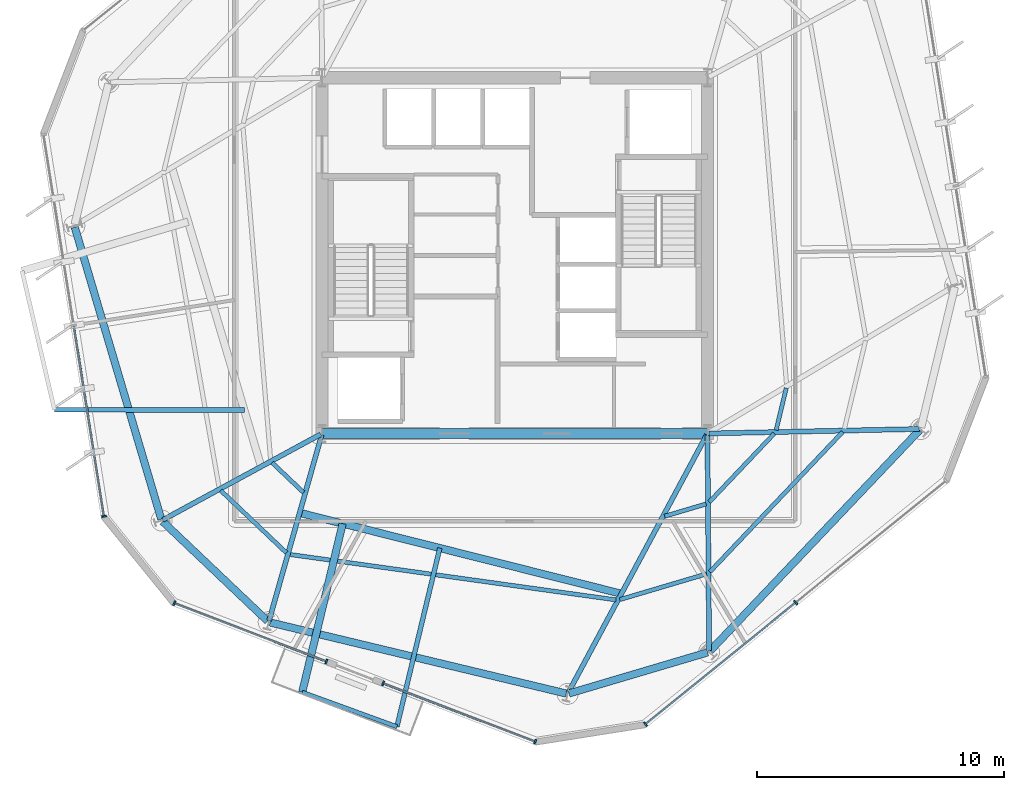
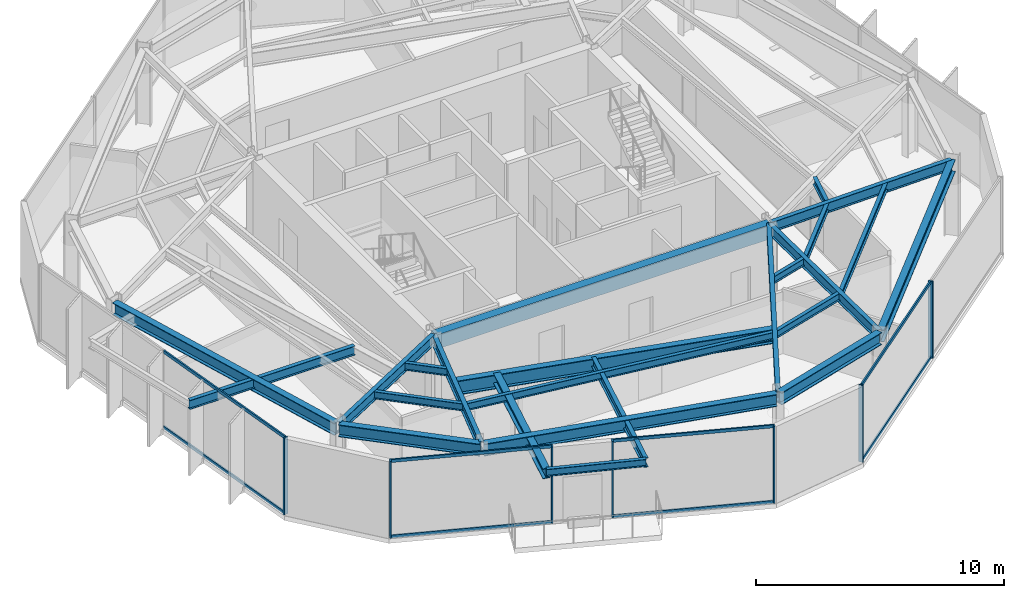
# One storey, part 2 of 12: 24 beams, 15 members, 4 elements without a shape of their own.
"""IFC4 building model written with IfcOpenShell, lengths in metres."""

from ifc_helpers import new_model, si_unit, direction, frame, origin, origin_2d, place, context, subcontext, project, spatial, rectangle, i_section, extrude, material, layer, layer_set, material_profile, profile_set, type_object, element, aggregate, save


model = new_model("IFC4")

# Units and contexts
model_context = context("Model", 3, precision=1e-05, world=origin(), true_north=direction((0.0, 1.0)))
body_context = subcontext(model_context, "Body", "Model", "MODEL_VIEW")
ifc_project = project(units=[si_unit("LENGTHUNIT", "METRE"), si_unit("AREAUNIT", "SQUARE_METRE"), si_unit("VOLUMEUNIT", "CUBIC_METRE"), si_unit("PLANEANGLEUNIT", "RADIAN"), si_unit("MASSUNIT", "GRAM", prefix="KILO")], contexts=[model_context])

# Site, building, storey
site_placement = place(None, origin())
site = spatial("IfcSite", under=ifc_project, at=site_placement, CompositionType="ELEMENT")
building_placement = place(site_placement, origin())
building = spatial("IfcBuilding", under=site, at=building_placement, Name="Kranzbogen Civic Tower", CompositionType="ELEMENT")
storey_placement = place(building_placement, frame((0.0, 0.0, 180.800048828125)))
storey = spatial("IfcBuildingStorey", under=building, at=storey_placement, Name="L43", CompositionType="ELEMENT", Elevation=180.800048828125)

# Beams
ifc_material_1 = material(Name="Steel S355", Category="steel")
ifc_material_profile_1 = material_profile(ifc_material_1, i_section(OverallWidth=0.18994140625, OverallDepth=0.449951171875, WebThickness=0.009521484375, FlangeThickness=0.0146484375, at=origin_2d()), Name="IPE 450")
ifc_profile_set_1 = profile_set([ifc_material_profile_1], Name="Steel S355")
beam_type_1 = type_object("IfcBeamType", Name="Braced Terrace Edge Beam IPE 450", PredefinedType="BEAM", material=ifc_profile_set_1)
beam_1_placement = place(storey_placement, frame((21.966064453125, 13.1630859375, 3.52490234375), z_axis=(-0.233448692439, -0.97236912127, 0.0), x_axis=(0.97236912127, -0.233448692439, 0.0)))
element("IfcBeam", 1, at=beam_1_placement, inside=storey, type_object=beam_type_1, Name="L44 back-spanned terrace beam L44-TB1-2", PredefinedType="BEAM", context=body_context, shape_type="SweptSolid", body=[
    extrude(i_section(OverallWidth=0.18994140625, OverallDepth=0.449951171875, WebThickness=0.009521484375, FlangeThickness=0.0146484375, at=origin_2d()), origin(), (0.0, 0.0, 1.0), 7.436767578125),
])
beam_2_placement = place(storey_placement, frame((14.050048828125, 18.7509765625, 3.494873046875), z_axis=(-0.999999575408, 0.00092151216, 0.0), x_axis=(-0.00092151216, -0.999999575408, 0.0)))
element("IfcBeam", 2, at=beam_2_placement, inside=storey, type_object=beam_type_1, Name="L44 back-spanned terrace beam L44-ST-2", PredefinedType="BEAM", context=body_context, shape_type="SweptSolid", body=[
    extrude(i_section(OverallWidth=0.18994140625, OverallDepth=0.449951171875, WebThickness=0.009521484375, FlangeThickness=0.0146484375, at=origin_2d()), origin(), (0.0, 0.0, 1.0), 7.68310546875),
])
ifc_material_2 = material(Name="Concrete C40/50", Category="concrete")
ifc_material_profile_2 = material_profile(ifc_material_2, rectangle(XDim=0.39990234375, YDim=0.699951171875, at=origin_2d()), Name="RC-BM 400x700")
ifc_profile_set_2 = profile_set([ifc_material_profile_2], Name="Concrete C40/50")
beam_type_2 = type_object("IfcBeamType", Name="Core Coupling Lintel Beam 400x700", PredefinedType="LINTEL", material=ifc_profile_set_2)
beam_3_placement = place(storey_placement, frame((17.199951171875, 17.800048828125, 3.429931640625), z_axis=(1.0, 0.0, 0.0), x_axis=(0.0, 1.0, 0.0)))
element("IfcBeam", 3, at=beam_3_placement, inside=storey, type_object=beam_type_2, Name="L43 core South coupling lintel beam", PredefinedType="LINTEL", context=body_context, shape_type="SweptSolid", body=[
    extrude(rectangle(XDim=0.39990234375, YDim=0.699951171875, at=origin_2d()), origin(), (0.0, 0.0, 1.0), 15.60009765625),
])

# Curtain wall, member
ifc_material_3 = material(Name="Pale Anodised Aluminium", Category="aluminium")
ifc_layer = layer(ifc_material_3, 0.219970703125, Name="Pale Anodised Aluminium")
ifc_layer_set = layer_set([ifc_layer], Name="Pale Anodised Aluminium")
curtain_wall_type = type_object("IfcCurtainWallType", Name="Zone 3 Stick Curtain Wall System CW-04", PredefinedType="USERDEFINED", material=ifc_layer_set)
curtain_wall_1_placement = place(storey_placement, origin())
curtain_wall_1 = element("IfcCurtainWall", 4, at=curtain_wall_1_placement, inside=storey, type_object=curtain_wall_type, Name="L43 curtain wall CW-L43-F3", ObjectType="STICK CURTAIN WALL", PredefinedType="USERDEFINED")
ifc_material_profile_3 = material_profile(ifc_material_3, rectangle(XDim=0.070068359375, YDim=0.199951171875, at=origin_2d()), Name="ALU-M 70x200")
ifc_profile_set_3 = profile_set([ifc_material_profile_3], Name="Pale Anodised Aluminium")
member_type_1 = type_object("IfcMemberType", Name="Curtain Wall Mullion ALU-M 70x200", PredefinedType="MULLION", material=ifc_profile_set_3)
member_1_placement = place(storey_placement, frame((8.374267578125, 14.445556640625, 0.0), z_axis=(0.0, 0.0, 1.0), x_axis=(0.156361413818, -0.987699908003, 0.0)))
member_1 = element("IfcMember", 5, at=member_1_placement, type_object=member_type_1, Name="CW-04 mullion 3", PredefinedType="MULLION", context=body_context, shape_type="SweptSolid", body=[
    extrude(rectangle(XDim=0.070068359375, YDim=0.199951171875, at=origin_2d()), origin(), (0.0, 0.0, 1.0), 3.780029296875),
])

# Curtain wall, members
curtain_wall_2_placement = place(storey_placement, origin())
curtain_wall_2 = element("IfcCurtainWall", 6, at=curtain_wall_2_placement, inside=storey, type_object=curtain_wall_type, Name="L43 curtain wall CW-L43-F4-S1", ObjectType="STICK CURTAIN WALL", PredefinedType="USERDEFINED")
member_2_placement = place(storey_placement, frame((11.218994140625, 10.932373046875, 0.0), z_axis=(0.0, 0.0, 1.0), x_axis=(0.933608751858, -0.35829415074, 0.0)))
member_2 = element("IfcMember", 7, at=member_2_placement, type_object=member_type_1, Name="CW-04 mullion 1", PredefinedType="MULLION", context=body_context, shape_type="SweptSolid", body=[
    extrude(rectangle(XDim=0.070068359375, YDim=0.199951171875, at=origin_2d()), origin(), (0.0, 0.0, 1.0), 3.780029296875),
])
member_3_placement = place(storey_placement, frame((17.375, 8.56982421875, 0.0), z_axis=(0.0, 0.0, 1.0), x_axis=(0.933608751858, -0.35829415074, 0.0)))
member_3 = element("IfcMember", 8, at=member_3_placement, type_object=member_type_1, Name="CW-04 mullion 2", PredefinedType="MULLION", context=body_context, shape_type="SweptSolid", body=[
    extrude(rectangle(XDim=0.070068359375, YDim=0.199951171875, at=origin_2d()), origin(), (0.0, 0.0, 1.0), 3.780029296875),
])

curtain_wall_3_placement = place(storey_placement, origin())
curtain_wall_3 = element("IfcCurtainWall", 9, at=curtain_wall_3_placement, inside=storey, type_object=curtain_wall_type, Name="L43 curtain wall CW-L43-F4-S2", ObjectType="STICK CURTAIN WALL", PredefinedType="USERDEFINED")
member_4_placement = place(storey_placement, frame((19.6708984375, 7.688232421875, 0.0), z_axis=(0.0, 0.0, 1.0), x_axis=(0.933577774585, -0.358374857937, 0.0)))
member_4 = element("IfcMember", 10, at=member_4_placement, type_object=member_type_1, Name="CW-04 mullion 1", PredefinedType="MULLION", context=body_context, shape_type="SweptSolid", body=[
    extrude(rectangle(XDim=0.070068359375, YDim=0.199951171875, at=origin_2d()), origin(), (0.0, 0.0, 1.0), 3.780029296875),
])
member_5_placement = place(storey_placement, frame((25.827880859375, 5.32470703125, 0.0), z_axis=(0.0, 0.0, 1.0), x_axis=(0.933577774585, -0.358374857937, 0.0)))
member_5 = element("IfcMember", 11, at=member_5_placement, type_object=member_type_1, Name="CW-04 mullion 2", PredefinedType="MULLION", context=body_context, shape_type="SweptSolid", body=[
    extrude(rectangle(XDim=0.070068359375, YDim=0.199951171875, at=origin_2d()), origin(), (0.0, 0.0, 1.0), 3.780029296875),
])

curtain_wall_4_placement = place(storey_placement, origin())
curtain_wall_4 = element("IfcCurtainWall", 12, at=curtain_wall_4_placement, inside=storey, type_object=curtain_wall_type, Name="L43 curtain wall CW-L43-F5", ObjectType="STICK CURTAIN WALL", PredefinedType="USERDEFINED")
member_6_placement = place(storey_placement, frame((30.293212890625, 6.031982421875, 0.0), z_axis=(0.0, 0.0, 1.0), x_axis=(0.777115874444, 0.629357543601, 0.0)))
member_6 = element("IfcMember", 13, at=member_6_placement, type_object=member_type_1, Name="CW-04 mullion 1", PredefinedType="MULLION", context=body_context, shape_type="SweptSolid", body=[
    extrude(rectangle(XDim=0.070068359375, YDim=0.199951171875, at=origin_2d()), origin(), (0.0, 0.0, 1.0), 3.780029296875),
])
member_7_placement = place(storey_placement, frame((36.37353515625, 10.9560546875, 0.0), z_axis=(0.0, 0.0, 1.0), x_axis=(0.777115874444, 0.629357543601, 0.0)))
member_7 = element("IfcMember", 14, at=member_7_placement, type_object=member_type_1, Name="CW-04 mullion 2", PredefinedType="MULLION", context=body_context, shape_type="SweptSolid", body=[
    extrude(rectangle(XDim=0.070068359375, YDim=0.199951171875, at=origin_2d()), origin(), (0.0, 0.0, 1.0), 3.780029296875),
])

# Member
ifc_material_profile_4 = material_profile(ifc_material_3, rectangle(XDim=0.070068359375, YDim=0.14990234375, at=origin_2d()), Name="ALU-T 70x150")
ifc_profile_set_4 = profile_set([ifc_material_profile_4], Name="Pale Anodised Aluminium")
member_type_2 = type_object("IfcMemberType", Name="Curtain Wall Transom ALU-T 70x150", PredefinedType="USERDEFINED", material=ifc_profile_set_4)
member_8_placement = place(storey_placement, frame((7.15576171875, 22.143310546875, 0.030029296875), z_axis=(0.156356588779, -0.987700671836, 0.0), x_axis=(0.987700671836, 0.156356588779, 0.0)))
member_8 = element("IfcMember", 15, at=member_8_placement, type_object=member_type_2, Name="CW-04 transom 2.1", ObjectType="TRANSOM", PredefinedType="USERDEFINED", context=body_context, shape_type="SweptSolid", body=[
    extrude(rectangle(XDim=0.070068359375, YDim=0.14990234375, at=origin_2d()), origin(), (0.0, 0.0, 1.0), 7.763427734375),
])

member_9_placement = place(storey_placement, frame((7.15576171875, 22.143310546875, 3.75), z_axis=(0.156356588779, -0.987700671836, 0.0), x_axis=(0.987700671836, 0.156356588779, 0.0)))
member_9 = element("IfcMember", 16, at=member_9_placement, type_object=member_type_2, Name="CW-04 transom 2.2", ObjectType="TRANSOM", PredefinedType="USERDEFINED", context=body_context, shape_type="SweptSolid", body=[
    extrude(rectangle(XDim=0.070068359375, YDim=0.14990234375, at=origin_2d()), origin(), (0.0, 0.0, 1.0), 7.763427734375),
])

aggregate(curtain_wall_1, [member_1, member_8, member_9])

member_10_placement = place(storey_placement, frame((11.2470703125, 10.92138671875, 0.030029296875), z_axis=(0.933615963242, -0.358275359438, 0.0), x_axis=(0.358275359438, 0.933615963242, 0.0)))
member_10 = element("IfcMember", 17, at=member_10_placement, type_object=member_type_2, Name="CW-04 transom 1.1", ObjectType="TRANSOM", PredefinedType="USERDEFINED", context=body_context, shape_type="SweptSolid", body=[
    extrude(rectangle(XDim=0.070068359375, YDim=0.14990234375, at=origin_2d()), origin(), (0.0, 0.0, 1.0), 6.53369140625),
])

member_11_placement = place(storey_placement, frame((11.2470703125, 10.92138671875, 3.75), z_axis=(0.933615963242, -0.358275359438, 0.0), x_axis=(0.358275359438, 0.933615963242, 0.0)))
member_11 = element("IfcMember", 18, at=member_11_placement, type_object=member_type_2, Name="CW-04 transom 1.2", ObjectType="TRANSOM", PredefinedType="USERDEFINED", context=body_context, shape_type="SweptSolid", body=[
    extrude(rectangle(XDim=0.070068359375, YDim=0.14990234375, at=origin_2d()), origin(), (0.0, 0.0, 1.0), 6.53369140625),
])

aggregate(curtain_wall_2, [member_2, member_3, member_10, member_11])

member_12_placement = place(storey_placement, frame((19.698974609375, 7.677490234375, 0.030029296875), z_axis=(0.933577454717, -0.358375691201, 0.0), x_axis=(0.358375691201, 0.933577454717, 0.0)))
member_12 = element("IfcMember", 19, at=member_12_placement, type_object=member_type_2, Name="CW-04 transom 1.1", ObjectType="TRANSOM", PredefinedType="USERDEFINED", context=body_context, shape_type="SweptSolid", body=[
    extrude(rectangle(XDim=0.070068359375, YDim=0.14990234375, at=origin_2d()), origin(), (0.0, 0.0, 1.0), 6.53515625),
])

member_13_placement = place(storey_placement, frame((19.698974609375, 7.677490234375, 3.75), z_axis=(0.933577454717, -0.358375691201, 0.0), x_axis=(0.358375691201, 0.933577454717, 0.0)))
member_13 = element("IfcMember", 20, at=member_13_placement, type_object=member_type_2, Name="CW-04 transom 1.2", ObjectType="TRANSOM", PredefinedType="USERDEFINED", context=body_context, shape_type="SweptSolid", body=[
    extrude(rectangle(XDim=0.070068359375, YDim=0.14990234375, at=origin_2d()), origin(), (0.0, 0.0, 1.0), 6.53515625),
])

aggregate(curtain_wall_3, [member_4, member_5, member_12, member_13])

member_14_placement = place(storey_placement, frame((30.316650390625, 6.05078125, 0.030029296875), z_axis=(0.777118167455, 0.629354712234, 0.0), x_axis=(-0.629354712234, 0.777118167455, 0.0)))
member_14 = element("IfcMember", 21, at=member_14_placement, type_object=member_type_2, Name="CW-04 transom 1.1", ObjectType="TRANSOM", PredefinedType="USERDEFINED", context=body_context, shape_type="SweptSolid", body=[
    extrude(rectangle(XDim=0.070068359375, YDim=0.14990234375, at=origin_2d()), origin(), (0.0, 0.0, 1.0), 7.763916015625),
])

member_15_placement = place(storey_placement, frame((30.316650390625, 6.05078125, 3.75), z_axis=(0.777118167455, 0.629354712234, 0.0), x_axis=(-0.629354712234, 0.777118167455, 0.0)))
member_15 = element("IfcMember", 22, at=member_15_placement, type_object=member_type_2, Name="CW-04 transom 1.2", ObjectType="TRANSOM", PredefinedType="USERDEFINED", context=body_context, shape_type="SweptSolid", body=[
    extrude(rectangle(XDim=0.070068359375, YDim=0.14990234375, at=origin_2d()), origin(), (0.0, 0.0, 1.0), 7.763916015625),
])

aggregate(curtain_wall_4, [member_6, member_7, member_14, member_15])

# Beams
ifc_material_profile_5 = material_profile(ifc_material_1, i_section(OverallWidth=0.300048828125, OverallDepth=0.5, WebThickness=0.014404296875, FlangeThickness=0.028076171875, at=origin_2d()), Name="HEB 500")
ifc_profile_set_5 = profile_set([ifc_material_profile_5], Name="Steel S355")
beam_type_3 = type_object("IfcBeamType", Name="Perimeter Tube Spandrel Beam HEB 500", PredefinedType="SPANDREL", material=ifc_profile_set_5)
beam_4_placement = place(storey_placement, frame((18.033935546875, 14.152099609375, 3.5), z_axis=(-0.2333584815, -0.972390774901, 0.0), x_axis=(0.972390774901, -0.2333584815, 0.0)))
element("IfcBeam", 23, at=beam_4_placement, inside=storey, type_object=beam_type_3, Name="L44 back-spanned terrace beam L44-TB1-1", PredefinedType="SPANDREL", context=body_context, shape_type="SweptSolid", body=[
    extrude(i_section(OverallWidth=0.300048828125, OverallDepth=0.5, WebThickness=0.014404296875, FlangeThickness=0.028076171875, at=origin_2d()), origin(), (0.0, 0.0, 1.0), 7.01904296875),
])
ifc_material_profile_6 = material_profile(ifc_material_1, i_section(OverallWidth=0.300048828125, OverallDepth=0.60009765625, WebThickness=0.015380859375, FlangeThickness=0.030029296875, at=origin_2d()), Name="HEB 600")
ifc_profile_set_6 = profile_set([ifc_material_profile_6], Name="Steel S355")
beam_type_4 = type_object("IfcBeamType", Name="Perimeter Tube Spandrel Beam HEB 600", PredefinedType="SPANDREL", material=ifc_profile_set_6)
beam_5_placement = place(storey_placement, frame((10.7509765625, 14.235107421875, 3.47998046875), z_axis=(0.725245206788, -0.688490660816, 0.0), x_axis=(0.688490660816, 0.725245206788, 0.0)))
element("IfcBeam", 24, at=beam_5_placement, inside=storey, type_object=beam_type_4, Name="L43 perimeter spandrel beam 01", PredefinedType="SPANDREL", context=body_context, shape_type="SweptSolid", body=[
    extrude(i_section(OverallWidth=0.300048828125, OverallDepth=0.60009765625, WebThickness=0.015380859375, FlangeThickness=0.030029296875, at=origin_2d()), origin(), (0.0, 0.0, 1.0), 5.85205078125),
])
beam_6_placement = place(storey_placement, frame((15.096923828125, 10.15087890625, 3.47998046875), z_axis=(0.972377592092, -0.233413406637, 0.0), x_axis=(0.233413406637, 0.972377592092, 0.0)))
element("IfcBeam", 25, at=beam_6_placement, inside=storey, type_object=beam_type_4, Name="L43 perimeter spandrel beam 02", PredefinedType="SPANDREL", context=body_context, shape_type="SweptSolid", body=[
    extrude(i_section(OverallWidth=0.300048828125, OverallDepth=0.60009765625, WebThickness=0.015380859375, FlangeThickness=0.030029296875, at=origin_2d()), origin(), (0.0, 0.0, 1.0), 12.32568359375),
])
beam_7_placement = place(storey_placement, frame((27.197998046875, 7.277099609375, 3.47998046875), z_axis=(0.9588296723, 0.283981794341, 0.0), x_axis=(-0.283981794341, 0.9588296723, 0.0)))
element("IfcBeam", 26, at=beam_7_placement, inside=storey, type_object=beam_type_4, Name="L43 perimeter spandrel beam 03", PredefinedType="SPANDREL", context=body_context, shape_type="SweptSolid", body=[
    extrude(i_section(OverallWidth=0.300048828125, OverallDepth=0.60009765625, WebThickness=0.015380859375, FlangeThickness=0.030029296875, at=origin_2d()), origin(), (0.0, 0.0, 1.0), 5.85205078125),
])
beam_8_placement = place(storey_placement, frame((32.907958984375, 9.0, 3.47998046875), z_axis=(0.688373497874, 0.725356414065, 0.0), x_axis=(-0.725356414065, 0.688373497874, 0.0)))
element("IfcBeam", 27, at=beam_8_placement, inside=storey, type_object=beam_type_4, Name="L43 perimeter spandrel beam 04", PredefinedType="SPANDREL", context=body_context, shape_type="SweptSolid", body=[
    extrude(i_section(OverallWidth=0.300048828125, OverallDepth=0.60009765625, WebThickness=0.015380859375, FlangeThickness=0.030029296875, at=origin_2d()), origin(), (0.0, 0.0, 1.0), 12.324951171875),
])
beam_9_placement = place(storey_placement, frame((7.18896484375, 26.15087890625, 3.47998046875), z_axis=(0.284064048956, -0.958805306666, 0.0), x_axis=(0.958805306666, 0.284064048956, 0.0)))
element("IfcBeam", 28, at=beam_9_placement, inside=storey, type_object=beam_type_4, Name="L43 perimeter spandrel beam 12", PredefinedType="SPANDREL", context=body_context, shape_type="SweptSolid", body=[
    extrude(i_section(OverallWidth=0.300048828125, OverallDepth=0.60009765625, WebThickness=0.015380859375, FlangeThickness=0.030029296875, at=origin_2d()), origin(), (0.0, 0.0, 1.0), 12.32470703125),
])
ifc_material_profile_7 = material_profile(ifc_material_1, i_section(OverallWidth=0.300048828125, OverallDepth=0.699951171875, WebThickness=0.01708984375, FlangeThickness=0.031982421875, at=origin_2d()), Name="HEB 700")
ifc_profile_set_7 = profile_set([ifc_material_profile_7], Name="Steel S355")
beam_type_5 = type_object("IfcBeamType", Name="Perimeter Tube Spandrel Beam HEB 700", PredefinedType="SPANDREL", material=ifc_profile_set_7)
beam_10_placement = place(storey_placement, frame((16.2919921875, 14.591064453125, 3.39990234375), z_axis=(0.969754167823, -0.244083702834, 0.0), x_axis=(0.244083702834, 0.969754167823, 0.0)))
element("IfcBeam", 29, at=beam_10_placement, inside=storey, type_object=beam_type_5, Name="L44 balcony back-span header girder L44-TB1", PredefinedType="SPANDREL", context=body_context, shape_type="SweptSolid", body=[
    extrude(i_section(OverallWidth=0.300048828125, OverallDepth=0.699951171875, WebThickness=0.01708984375, FlangeThickness=0.031982421875, at=origin_2d()), origin(), (0.0, 0.0, 1.0), 13.43017578125),
])
ifc_material_profile_8 = material_profile(ifc_material_1, i_section(OverallWidth=0.199951171875, OverallDepth=0.5, WebThickness=0.01025390625, FlangeThickness=0.01611328125, at=origin_2d()), Name="IPE 500")
ifc_profile_set_8 = profile_set([ifc_material_profile_8], Name="Steel S355")
beam_type_6 = type_object("IfcBeamType", Name="Radial Tower Floor Girder IPE 500", PredefinedType="BEAM", material=ifc_profile_set_8)
beam_11_placement = place(storey_placement, frame((10.760009765625, 14.304931640625, 3.530029296875), z_axis=(0.878919430102, 0.476970266777, 0.0), x_axis=(-0.476970266777, 0.878919430102, 0.0)))
element("IfcBeam", 30, at=beam_11_placement, inside=storey, type_object=beam_type_6, Name="L43 radial floor girder 01", PredefinedType="BEAM", context=body_context, shape_type="SweptSolid", body=[
    extrude(i_section(OverallWidth=0.199951171875, OverallDepth=0.5, WebThickness=0.01025390625, FlangeThickness=0.01611328125, at=origin_2d()), origin(), (0.0, 0.0, 1.0), 7.266845703125),
])
beam_12_placement = place(storey_placement, frame((15.054931640625, 10.222900390625, 3.530029296875), z_axis=(0.272455078988, 0.962168503919, 0.0), x_axis=(-0.962168503919, 0.272455078988, 0.0)))
element("IfcBeam", 31, at=beam_12_placement, inside=storey, type_object=beam_type_6, Name="L43 radial floor girder 02", PredefinedType="BEAM", context=body_context, shape_type="SweptSolid", body=[
    extrude(i_section(OverallWidth=0.199951171875, OverallDepth=0.5, WebThickness=0.01025390625, FlangeThickness=0.01611328125, at=origin_2d()), origin(), (0.0, 0.0, 1.0), 7.814697265625),
])
beam_13_placement = place(storey_placement, frame((27.16796875, 7.31298828125, 3.530029296875), z_axis=(0.473160413549, 0.880976289721, 0.0), x_axis=(-0.880976289721, 0.473160413549, 0.0)))
element("IfcBeam", 32, at=beam_13_placement, inside=storey, type_object=beam_type_6, Name="L43 radial floor girder 03", PredefinedType="BEAM", context=body_context, shape_type="SweptSolid", body=[
    extrude(i_section(OverallWidth=0.199951171875, OverallDepth=0.5, WebThickness=0.01025390625, FlangeThickness=0.01611328125, at=origin_2d()), origin(), (0.0, 0.0, 1.0), 11.84375),
])
beam_14_placement = place(storey_placement, frame((32.866943359375, 9.01611328125, 3.530029296875), z_axis=(-0.007667756557, 0.999970602323, 0.0), x_axis=(-0.999970602323, -0.007667756557, 0.0)))
element("IfcBeam", 33, at=beam_14_placement, inside=storey, type_object=beam_type_6, Name="L43 radial floor girder 04", PredefinedType="BEAM", context=body_context, shape_type="SweptSolid", body=[
    extrude(i_section(OverallWidth=0.199951171875, OverallDepth=0.5, WebThickness=0.01025390625, FlangeThickness=0.01611328125, at=origin_2d()), origin(), (0.0, 0.0, 1.0), 8.72412109375),
])
beam_15_placement = place(storey_placement, frame((41.373046875, 17.98291015625, 3.530029296875), z_axis=(-0.99977183191, -0.021360808018, 0.0), x_axis=(0.021360808018, -0.99977183191, 0.0)))
element("IfcBeam", 34, at=beam_15_placement, inside=storey, type_object=beam_type_6, Name="L43 radial floor girder 05", PredefinedType="BEAM", context=body_context, shape_type="SweptSolid", body=[
    extrude(i_section(OverallWidth=0.199951171875, OverallDepth=0.5, WebThickness=0.01025390625, FlangeThickness=0.01611328125, at=origin_2d()), origin(), (0.0, 0.0, 1.0), 8.514892578125),
])
ifc_material_profile_9 = material_profile(ifc_material_1, i_section(OverallWidth=0.169921875, OverallDepth=0.360107421875, WebThickness=0.008056640625, FlangeThickness=0.0126953125, at=origin_2d()), Name="IPE 360")
ifc_profile_set_9 = profile_set([ifc_material_profile_9], Name="Steel S355")
beam_type_7 = type_object("IfcBeamType", Name="Secondary Composite Floor Joist IPE 360", PredefinedType="JOIST", material=ifc_profile_set_9)
beam_16_placement = place(storey_placement, frame((13.10302734375, 15.489990234375, 3.599853515625), z_axis=(0.725300648604, -0.688432254572, 0.0), x_axis=(0.688432254572, 0.725300648604, 0.0)))
element("IfcBeam", 35, at=beam_16_placement, inside=storey, type_object=beam_type_7, Name="L43 secondary floor joist 1.01", PredefinedType="JOIST", context=body_context, shape_type="SweptSolid", body=[
    extrude(i_section(OverallWidth=0.169921875, OverallDepth=0.360107421875, WebThickness=0.008056640625, FlangeThickness=0.0126953125, at=origin_2d()), origin(), (0.0, 0.0, 1.0), 3.661865234375),
])
beam_17_placement = place(storey_placement, frame((15.179931640625, 16.616943359375, 3.599853515625), z_axis=(0.725479767774, -0.688243493649, 0.0), x_axis=(0.688243493649, 0.725479767774, 0.0)))
element("IfcBeam", 36, at=beam_17_placement, inside=storey, type_object=beam_type_7, Name="L43 secondary floor joist 2.01", PredefinedType="JOIST", context=body_context, shape_type="SweptSolid", body=[
    extrude(i_section(OverallWidth=0.169921875, OverallDepth=0.360107421875, WebThickness=0.008056640625, FlangeThickness=0.0126953125, at=origin_2d()), origin(), (0.0, 0.0, 1.0), 1.75048828125),
])
beam_18_placement = place(storey_placement, frame((15.89599609375, 12.903076171875, 3.599853515625), z_axis=(0.990445837232, -0.137902296968, 0.0), x_axis=(0.137902296968, 0.990445837232, 0.0)))
element("IfcBeam", 37, at=beam_18_placement, inside=storey, type_object=beam_type_7, Name="L43 secondary floor joist 1.02", PredefinedType="JOIST", context=body_context, shape_type="SweptSolid", body=[
    extrude(i_section(OverallWidth=0.169921875, OverallDepth=0.360107421875, WebThickness=0.008056640625, FlangeThickness=0.0126953125, at=origin_2d()), origin(), (0.0, 0.0, 1.0), 13.329345703125),
])
beam_19_placement = place(storey_placement, frame((29.25390625, 11.076904296875, 3.599853515625), z_axis=(0.958843823165, 0.283934011309, 0.0), x_axis=(-0.283934011309, 0.958843823165, 0.0)))
element("IfcBeam", 38, at=beam_19_placement, inside=storey, type_object=beam_type_7, Name="L43 secondary floor joist 1.03", PredefinedType="JOIST", context=body_context, shape_type="SweptSolid", body=[
    extrude(i_section(OverallWidth=0.169921875, OverallDepth=0.360107421875, WebThickness=0.008056640625, FlangeThickness=0.0126953125, at=origin_2d()), origin(), (0.0, 0.0, 1.0), 3.662841796875),
])
beam_20_placement = place(storey_placement, frame((31.06591796875, 14.449951171875, 3.599853515625), z_axis=(0.958871214757, 0.283841493638, 0.0), x_axis=(-0.283841493638, 0.958871214757, 0.0)))
element("IfcBeam", 39, at=beam_20_placement, inside=storey, type_object=beam_type_7, Name="L43 secondary floor joist 2.03", PredefinedType="JOIST", context=body_context, shape_type="SweptSolid", body=[
    extrude(i_section(OverallWidth=0.169921875, OverallDepth=0.360107421875, WebThickness=0.008056640625, FlangeThickness=0.0126953125, at=origin_2d()), origin(), (0.0, 0.0, 1.0), 1.751220703125),
])
beam_21_placement = place(storey_placement, frame((32.89794921875, 12.197998046875, 3.599853515625), z_axis=(0.688282381634, 0.725442873789, 0.0), x_axis=(-0.725442873789, 0.688282381634, 0.0)))
element("IfcBeam", 40, at=beam_21_placement, inside=storey, type_object=beam_type_7, Name="L43 secondary floor joist 1.04", PredefinedType="JOIST", context=body_context, shape_type="SweptSolid", body=[
    extrude(i_section(OverallWidth=0.169921875, OverallDepth=0.360107421875, WebThickness=0.008056640625, FlangeThickness=0.0126953125, at=origin_2d()), origin(), (0.0, 0.0, 1.0), 7.804931640625),
])
beam_22_placement = place(storey_placement, frame((32.876953125, 15.028076171875, 3.599853515625), z_axis=(0.688175084876, 0.725544659243, 0.0), x_axis=(-0.725544659243, 0.688175084876, 0.0)))
element("IfcBeam", 41, at=beam_22_placement, inside=storey, type_object=beam_type_7, Name="L43 secondary floor joist 2.04", PredefinedType="JOIST", context=body_context, shape_type="SweptSolid", body=[
    extrude(i_section(OverallWidth=0.169921875, OverallDepth=0.360107421875, WebThickness=0.008056640625, FlangeThickness=0.0126953125, at=origin_2d()), origin(), (0.0, 0.0, 1.0), 3.82177734375),
])
beam_23_placement = place(storey_placement, frame((35.5810546875, 17.93701171875, 3.599853515625), z_axis=(0.233631438607, 0.972325228972, 0.0), x_axis=(-0.972325228972, 0.233631438607, 0.0)))
element("IfcBeam", 42, at=beam_23_placement, inside=storey, type_object=beam_type_7, Name="L43 secondary floor joist 2.05", PredefinedType="JOIST", context=body_context, shape_type="SweptSolid", body=[
    extrude(i_section(OverallWidth=0.169921875, OverallDepth=0.360107421875, WebThickness=0.008056640625, FlangeThickness=0.0126953125, at=origin_2d()), origin(), (0.0, 0.0, 1.0), 1.750244140625),
])
beam_24_placement = place(storey_placement, frame((16.39599609375, 7.326904296875, 3.570068359375), z_axis=(0.939727013953, -0.341925634089, 0.0), x_axis=(0.341925634089, 0.939727013953, 0.0)))
element("IfcBeam", 43, at=beam_24_placement, inside=storey, type_object=beam_type_7, Name="L44 terrace outer edge trimmer L44-TB1", PredefinedType="JOIST", context=body_context, shape_type="SweptSolid", body=[
    extrude(i_section(OverallWidth=0.169921875, OverallDepth=0.360107421875, WebThickness=0.008056640625, FlangeThickness=0.0126953125, at=origin_2d()), origin(), (0.0, 0.0, 1.0), 4.079833984375),
])

save(model, "model.ifc")
